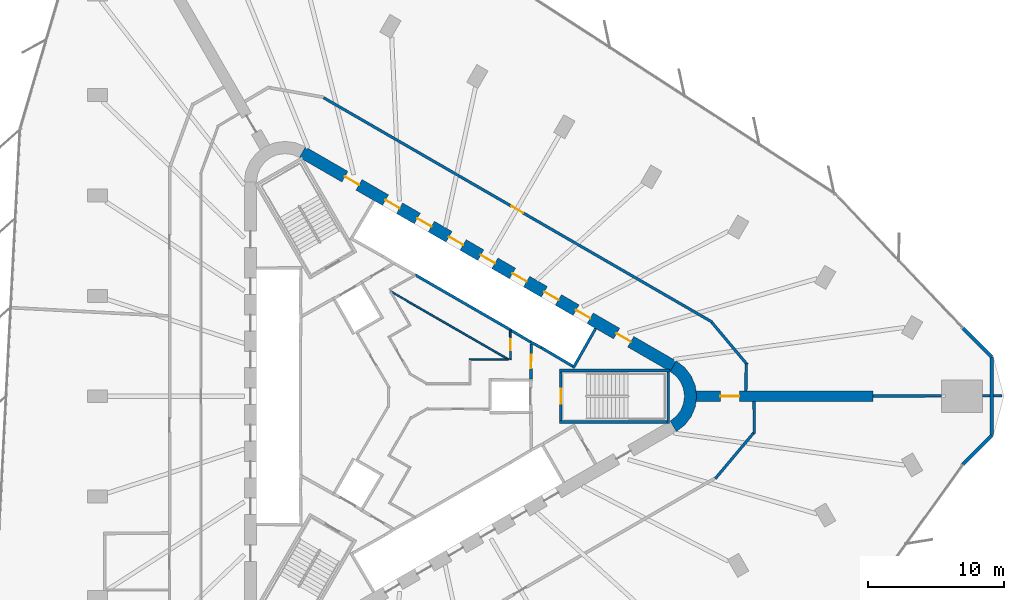
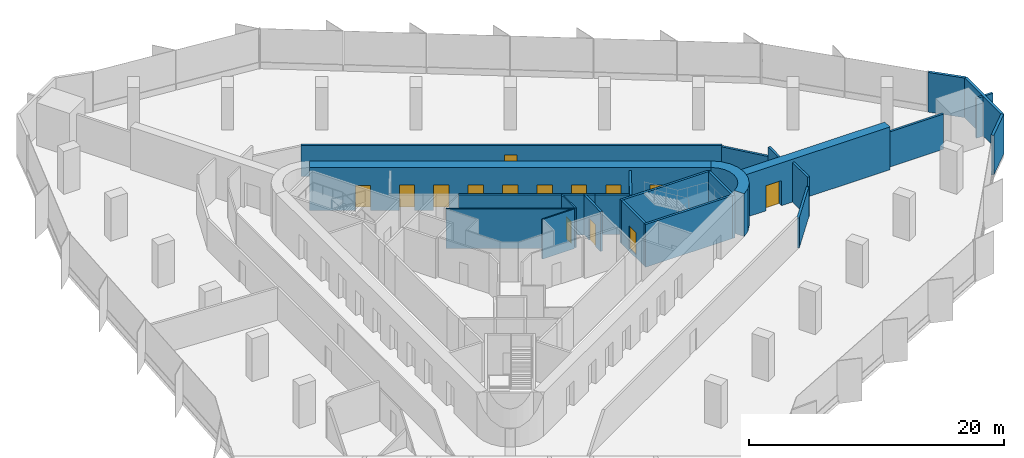
# One storey, part 12 of 14: 27 walls, 14 doors, 14 openings.
"""IFC4 building model written with IfcOpenShell, lengths in metres."""

from ifc_helpers import new_model, si_unit, direction, frame, frame_2d, origin, place, context, subcontext, project, spatial, polyline, rectangle, outline, extrude, material, layer, layer_set, type_object, element, fill, save


model = new_model("IFC4")

# Units and contexts
model_context = context("Model", 3, precision=1e-05, world=origin(), true_north=direction((0.0, 1.0)))
body_context = subcontext(model_context, "Body", "Model", "MODEL_VIEW")
ifc_project = project(units=[si_unit("LENGTHUNIT", "METRE"), si_unit("AREAUNIT", "SQUARE_METRE"), si_unit("VOLUMEUNIT", "CUBIC_METRE"), si_unit("PLANEANGLEUNIT", "RADIAN"), si_unit("MASSUNIT", "GRAM", prefix="KILO")], contexts=[model_context])

# Site, building, storey
site_placement = place(None, origin())
site = spatial("IfcSite", under=ifc_project, at=site_placement, CompositionType="ELEMENT")
building_placement = place(site_placement, origin())
building = spatial("IfcBuilding", under=site, at=building_placement, Name="Tanit Gate Tower", CompositionType="ELEMENT")
storey_placement = place(building_placement, frame((0.0, 0.0, 107.0)))
storey = spatial("IfcBuildingStorey", under=building, at=storey_placement, Name="L22", CompositionType="ELEMENT", Elevation=107.0)

# Wall, opening, door
ifc_material_1 = material(Name="Concrete C60/75", Category="concrete")
ifc_layer_1 = layer(ifc_material_1, 0.800048828125)
ifc_layer_set_1 = layer_set([ifc_layer_1], Name="BUTTRESS FIN 800 C60/75")
wall_type_1 = type_object("IfcWallType", Name="BUTTRESS FIN 800 C60/75", PredefinedType="SHEAR", material=ifc_layer_set_1)
wall_1_placement = place(storey_placement, frame((21.14990234375, 0.0, 0.0), z_axis=(0.0, 0.0, 1.0), x_axis=(1.0, 0.0, 0.0)))
wall_1 = element("IfcWall", 1, at=wall_1_placement, inside=storey, type_object=wall_type_1, Name="BUTTRESS FIN", PredefinedType="SHEAR", context=body_context, shape_type="SweptSolid", body=[
    extrude(rectangle(XDim=13.026611328125, YDim=0.800048828125, at=frame_2d((6.51318359375, 0.0))), origin(), (0.0, 0.0, 1.0), 4.10009765625),
])
opening_1_placement = place(wall_1_placement, frame((1.800048828125, 0.0, 0.0)))
opening_1 = element("IfcOpeningElement", 2, at=opening_1_placement, cuts=wall_1, Name="Opening P14-S05-F-E-1", PredefinedType="OPENING", context=body_context, shape_type="SweptSolid", body=[
    extrude(rectangle(XDim=1.39990234375, YDim=2.39990234375, at=frame_2d((0.699951171875, 1.199951171875))), frame((0.0, 0.41015625, 0.0), z_axis=(0.0, -1.0, 0.0), x_axis=(1.0, 0.0, 0.0)), (0.0, 0.0, 1.0), 0.820068359375),
])
ifc_material_2 = material(Name="Timber door leaf", Category="wood")
door_type_1 = type_object("IfcDoorType", Name="INT-DOOR-FIN-PAIR-1400", OperationType="NOTDEFINED", PredefinedType="NOTDEFINED", material=ifc_material_2)
door_1_placement = place(opening_1_placement, origin())
door_1 = element("IfcDoor", 3, at=door_1_placement, inside=storey, type_object=door_type_1, Name="Door P14-S05-F-E-1", OperationType="DOUBLE_DOOR_SINGLE_SWING", OverallHeight=2.39990234375, OverallWidth=1.39990234375, PredefinedType="NOTDEFINED", context=body_context, shape_type="SweptSolid", body=[
    extrude(rectangle(XDim=1.39990234375, YDim=2.39990234375, at=frame_2d((0.699951171875, 1.199951171875))), frame((0.0, 0.02490234375, 0.0), z_axis=(0.0, -1.0, 0.0), x_axis=(1.0, 0.0, 0.0)), (0.0, 0.0, 1.0), 0.050048828125),
])
fill(opening_1, door_1)

# Wall, openings, doors
ifc_material_3 = material(Name="Concrete C60/75", Category="concrete")
ifc_layer_2 = layer(ifc_material_3, 0.89990234375)
ifc_layer_set_2 = layer_set([ifc_layer_2], Name="CORE WALL 900 C60/75")
wall_type_2 = type_object("IfcWallType", Name="CORE WALL 900 C60/75", PredefinedType="SHEAR", material=ifc_layer_set_2)
wall_2_placement = place(storey_placement, frame((19.47509765625, 2.20849609375, 0.0), z_axis=(0.0, 0.0, 1.0), x_axis=(-0.866028369851, 0.499994862586, 0.0)))
wall_2 = element("IfcWall", 4, at=wall_2_placement, inside=storey, type_object=wall_type_2, Name="CORE WALL", PredefinedType="SHEAR", context=body_context, shape_type="SweptSolid", body=[
    extrude(rectangle(XDim=31.523193359375, YDim=0.89990234375, at=frame_2d((15.76171875, 0.0))), origin(), (0.0, 0.0, 1.0), 4.10009765625),
])
opening_2_placement = place(wall_2_placement, frame((7.0615234375, 0.0, 0.0)))
opening_2 = element("IfcOpeningElement", 5, at=opening_2_placement, cuts=wall_2, Name="Opening LDLL8-S05", PredefinedType="OPENING", context=body_context, shape_type="SweptSolid", body=[
    extrude(rectangle(XDim=1.199951171875, YDim=2.39990234375, at=frame_2d((0.60009765625, 1.199951171875))), frame((0.0, 0.4599609375, 0.0), z_axis=(0.0, -1.0, 0.0), x_axis=(1.0, 0.0, 0.0)), (0.0, 0.0, 1.0), 0.919921875),
])
opening_3_placement = place(wall_2_placement, frame((9.76171875, 0.0, 0.0)))
opening_3 = element("IfcOpeningElement", 6, at=opening_3_placement, cuts=wall_2, Name="Opening LDLL9-S05", PredefinedType="OPENING", context=body_context, shape_type="SweptSolid", body=[
    extrude(rectangle(XDim=1.199951171875, YDim=2.39990234375, at=frame_2d((0.60009765625, 1.199951171875))), frame((0.0, 0.4599609375, 0.0), z_axis=(0.0, -1.0, 0.0), x_axis=(1.0, 0.0, 0.0)), (0.0, 0.0, 1.0), 0.919921875),
])
opening_4_placement = place(wall_2_placement, frame((12.461669921875, 0.0, 0.0)))
opening_4 = element("IfcOpeningElement", 7, at=opening_4_placement, cuts=wall_2, Name="Opening LDLL10-S05", PredefinedType="OPENING", context=body_context, shape_type="SweptSolid", body=[
    extrude(rectangle(XDim=1.199951171875, YDim=2.39990234375, at=frame_2d((0.60009765625, 1.199951171875))), frame((0.0, 0.4599609375, 0.0), z_axis=(0.0, -1.0, 0.0), x_axis=(1.0, 0.0, 0.0)), (0.0, 0.0, 1.0), 0.919921875),
])
opening_5_placement = place(wall_2_placement, frame((15.16162109375, 0.0, 0.0)))
opening_5 = element("IfcOpeningElement", 8, at=opening_5_placement, cuts=wall_2, Name="Opening LDSL1-S05", PredefinedType="OPENING", context=body_context, shape_type="SweptSolid", body=[
    extrude(rectangle(XDim=1.199951171875, YDim=2.39990234375, at=frame_2d((0.60009765625, 1.199951171875))), frame((0.0, 0.4599609375, 0.0), z_axis=(0.0, -1.0, 0.0), x_axis=(1.0, 0.0, 0.0)), (0.0, 0.0, 1.0), 0.919921875),
])
opening_6_placement = place(wall_2_placement, frame((17.861572265625, 0.0, 0.0)))
opening_6 = element("IfcOpeningElement", 9, at=opening_6_placement, cuts=wall_2, Name="Opening LDSL2-S05", PredefinedType="OPENING", context=body_context, shape_type="SweptSolid", body=[
    extrude(rectangle(XDim=1.199951171875, YDim=2.39990234375, at=frame_2d((0.60009765625, 1.199951171875))), frame((0.0, 0.4599609375, 0.0), z_axis=(0.0, -1.0, 0.0), x_axis=(1.0, 0.0, 0.0)), (0.0, 0.0, 1.0), 0.919921875),
])
opening_7_placement = place(wall_2_placement, frame((20.5615234375, 0.0, 0.0)))
opening_7 = element("IfcOpeningElement", 10, at=opening_7_placement, cuts=wall_2, Name="Opening LDSL3-S05", PredefinedType="OPENING", context=body_context, shape_type="SweptSolid", body=[
    extrude(rectangle(XDim=1.199951171875, YDim=2.39990234375, at=frame_2d((0.60009765625, 1.199951171875))), frame((0.0, 0.4599609375, 0.0), z_axis=(0.0, -1.0, 0.0), x_axis=(1.0, 0.0, 0.0)), (0.0, 0.0, 1.0), 0.919921875),
])
opening_8_placement = place(wall_2_placement, frame((23.26171875, 0.0, 0.0)))
opening_8 = element("IfcOpeningElement", 11, at=opening_8_placement, cuts=wall_2, Name="Opening LDSL4-S05", PredefinedType="OPENING", context=body_context, shape_type="SweptSolid", body=[
    extrude(rectangle(XDim=1.199951171875, YDim=2.39990234375, at=frame_2d((0.60009765625, 1.199951171875))), frame((0.0, 0.4599609375, 0.0), z_axis=(0.0, -1.0, 0.0), x_axis=(1.0, 0.0, 0.0)), (0.0, 0.0, 1.0), 0.919921875),
])
opening_9_placement = place(wall_2_placement, frame((3.611572265625, 0.0, 0.0)))
opening_9 = element("IfcOpeningElement", 12, at=opening_9_placement, cuts=wall_2, Name="Opening F12-S05-FL1", PredefinedType="OPENING", context=body_context, shape_type="SweptSolid", body=[
    extrude(rectangle(XDim=1.199951171875, YDim=2.39990234375, at=frame_2d((0.60009765625, 1.199951171875))), frame((0.0, 0.4599609375, 0.0), z_axis=(0.0, -1.0, 0.0), x_axis=(1.0, 0.0, 0.0)), (0.0, 0.0, 1.0), 0.919921875),
])
opening_10_placement = place(wall_2_placement, frame((26.711669921875, 0.0, 0.0)))
opening_10 = element("IfcOpeningElement", 13, at=opening_10_placement, cuts=wall_2, Name="Opening F12-S05-S2", PredefinedType="OPENING", context=body_context, shape_type="SweptSolid", body=[
    extrude(rectangle(XDim=1.199951171875, YDim=2.39990234375, at=frame_2d((0.60009765625, 1.199951171875))), frame((0.0, 0.4599609375, 0.0), z_axis=(0.0, -1.0, 0.0), x_axis=(1.0, 0.0, 0.0)), (0.0, 0.0, 1.0), 0.919921875),
])
ifc_material_4 = material(Name="Fire-rated steel door leaf", Category="steel")
door_type_2 = type_object("IfcDoorType", Name="INT-DOOR-FIRE-LOBBY-1200", OperationType="NOTDEFINED", PredefinedType="USERDEFINED", material=ifc_material_4)
door_2_placement = place(opening_9_placement, origin())
door_2 = element("IfcDoor", 14, at=door_2_placement, inside=storey, type_object=door_type_2, Name="Door F12-S05-FL1", ObjectType="FIRE DOOR", OperationType="SINGLE_SWING_LEFT", OverallHeight=2.39990234375, OverallWidth=1.199951171875, PredefinedType="USERDEFINED", context=body_context, shape_type="SweptSolid", body=[
    extrude(rectangle(XDim=1.199951171875, YDim=2.39990234375, at=frame_2d((0.60009765625, 1.199951171875))), frame((0.0, 0.02490234375, 0.0), z_axis=(0.0, -1.0, 0.0), x_axis=(1.0, 0.0, 0.0)), (0.0, 0.0, 1.0), 0.050048828125),
])
fill(opening_9, door_2)
door_3_placement = place(opening_10_placement, origin())
door_3 = element("IfcDoor", 15, at=door_3_placement, inside=storey, type_object=door_type_2, Name="Door F12-S05-S2", ObjectType="FIRE DOOR", OperationType="SINGLE_SWING_LEFT", OverallHeight=2.39990234375, OverallWidth=1.199951171875, PredefinedType="USERDEFINED", context=body_context, shape_type="SweptSolid", body=[
    extrude(rectangle(XDim=1.199951171875, YDim=2.39990234375, at=frame_2d((0.60009765625, 1.199951171875))), frame((0.0, 0.02490234375, 0.0), z_axis=(0.0, -1.0, 0.0), x_axis=(1.0, 0.0, 0.0)), (0.0, 0.0, 1.0), 0.050048828125),
])
fill(opening_10, door_3)
ifc_material_5 = material(Name="Stainless steel sliding door leaf", Category="steel")
door_type_3 = type_object("IfcDoorType", Name="INT-DOOR-LANDING-1200", OperationType="NOTDEFINED", PredefinedType="USERDEFINED", material=ifc_material_5)
door_4_placement = place(opening_2_placement, origin())
door_4 = element("IfcDoor", 16, at=door_4_placement, inside=storey, type_object=door_type_3, Name="Door LDLL8-S05", ObjectType="LANDING DOOR", OperationType="SLIDING_TO_LEFT", OverallHeight=2.39990234375, OverallWidth=1.199951171875, PredefinedType="USERDEFINED", context=body_context, shape_type="SweptSolid", body=[
    extrude(rectangle(XDim=1.199951171875, YDim=2.39990234375, at=frame_2d((0.60009765625, 1.199951171875))), frame((0.0, 0.02490234375, 0.0), z_axis=(0.0, -1.0, 0.0), x_axis=(1.0, 0.0, 0.0)), (0.0, 0.0, 1.0), 0.050048828125),
])
fill(opening_2, door_4)
door_5_placement = place(opening_3_placement, origin())
door_5 = element("IfcDoor", 17, at=door_5_placement, inside=storey, type_object=door_type_3, Name="Door LDLL9-S05", ObjectType="LANDING DOOR", OperationType="SLIDING_TO_LEFT", OverallHeight=2.39990234375, OverallWidth=1.199951171875, PredefinedType="USERDEFINED", context=body_context, shape_type="SweptSolid", body=[
    extrude(rectangle(XDim=1.199951171875, YDim=2.39990234375, at=frame_2d((0.60009765625, 1.199951171875))), frame((0.0, 0.02490234375, 0.0), z_axis=(0.0, -1.0, 0.0), x_axis=(1.0, 0.0, 0.0)), (0.0, 0.0, 1.0), 0.050048828125),
])
fill(opening_3, door_5)
door_6_placement = place(opening_4_placement, origin())
door_6 = element("IfcDoor", 18, at=door_6_placement, inside=storey, type_object=door_type_3, Name="Door LDLL10-S05", ObjectType="LANDING DOOR", OperationType="SLIDING_TO_LEFT", OverallHeight=2.39990234375, OverallWidth=1.199951171875, PredefinedType="USERDEFINED", context=body_context, shape_type="SweptSolid", body=[
    extrude(rectangle(XDim=1.199951171875, YDim=2.39990234375, at=frame_2d((0.60009765625, 1.199951171875))), frame((0.0, 0.02490234375, 0.0), z_axis=(0.0, -1.0, 0.0), x_axis=(1.0, 0.0, 0.0)), (0.0, 0.0, 1.0), 0.050048828125),
])
fill(opening_4, door_6)
door_7_placement = place(opening_5_placement, origin())
door_7 = element("IfcDoor", 19, at=door_7_placement, inside=storey, type_object=door_type_3, Name="Door LDSL1-S05", ObjectType="LANDING DOOR", OperationType="SLIDING_TO_LEFT", OverallHeight=2.39990234375, OverallWidth=1.199951171875, PredefinedType="USERDEFINED", context=body_context, shape_type="SweptSolid", body=[
    extrude(rectangle(XDim=1.199951171875, YDim=2.39990234375, at=frame_2d((0.60009765625, 1.199951171875))), frame((0.0, 0.02490234375, 0.0), z_axis=(0.0, -1.0, 0.0), x_axis=(1.0, 0.0, 0.0)), (0.0, 0.0, 1.0), 0.050048828125),
])
fill(opening_5, door_7)
door_8_placement = place(opening_6_placement, origin())
door_8 = element("IfcDoor", 20, at=door_8_placement, inside=storey, type_object=door_type_3, Name="Door LDSL2-S05", ObjectType="LANDING DOOR", OperationType="SLIDING_TO_LEFT", OverallHeight=2.39990234375, OverallWidth=1.199951171875, PredefinedType="USERDEFINED", context=body_context, shape_type="SweptSolid", body=[
    extrude(rectangle(XDim=1.199951171875, YDim=2.39990234375, at=frame_2d((0.60009765625, 1.199951171875))), frame((0.0, 0.02490234375, 0.0), z_axis=(0.0, -1.0, 0.0), x_axis=(1.0, 0.0, 0.0)), (0.0, 0.0, 1.0), 0.050048828125),
])
fill(opening_6, door_8)
door_9_placement = place(opening_7_placement, origin())
door_9 = element("IfcDoor", 21, at=door_9_placement, inside=storey, type_object=door_type_3, Name="Door LDSL3-S05", ObjectType="LANDING DOOR", OperationType="SLIDING_TO_LEFT", OverallHeight=2.39990234375, OverallWidth=1.199951171875, PredefinedType="USERDEFINED", context=body_context, shape_type="SweptSolid", body=[
    extrude(rectangle(XDim=1.199951171875, YDim=2.39990234375, at=frame_2d((0.60009765625, 1.199951171875))), frame((0.0, 0.02490234375, 0.0), z_axis=(0.0, -1.0, 0.0), x_axis=(1.0, 0.0, 0.0)), (0.0, 0.0, 1.0), 0.050048828125),
])
fill(opening_7, door_9)
door_10_placement = place(opening_8_placement, origin())
door_10 = element("IfcDoor", 22, at=door_10_placement, inside=storey, type_object=door_type_3, Name="Door LDSL4-S05", ObjectType="LANDING DOOR", OperationType="SLIDING_TO_LEFT", OverallHeight=2.39990234375, OverallWidth=1.199951171875, PredefinedType="USERDEFINED", context=body_context, shape_type="SweptSolid", body=[
    extrude(rectangle(XDim=1.199951171875, YDim=2.39990234375, at=frame_2d((0.60009765625, 1.199951171875))), frame((0.0, 0.02490234375, 0.0), z_axis=(0.0, -1.0, 0.0), x_axis=(1.0, 0.0, 0.0)), (0.0, 0.0, 1.0), 0.050048828125),
])
fill(opening_8, door_10)

# Walls
wall_3_placement = place(storey_placement, origin())
element("IfcWall", 23, at=wall_3_placement, inside=storey, type_object=wall_type_2, Name="CORE WALL CORNER", PredefinedType="SHEAR", context=body_context, shape_type="SweptSolid", body=[
    extrude(outline(polyline([(19.699951171875, -2.59814453125), (20.3212890625, -2.121337890625), (20.798095703125, -1.5), (21.097900390625, -0.776611328125), (21.199951171875, 0.0), (21.097900390625, 0.776611328125), (20.798095703125, 1.5), (20.3212890625, 2.121337890625), (19.699951171875, 2.59814453125), (19.25, 1.818603515625), (19.684814453125, 1.48486328125), (20.018798828125, 1.050048828125), (20.228515625, 0.54345703125), (20.300048828125, 0.0), (20.228515625, -0.54345703125), (20.018798828125, -1.050048828125), (19.684814453125, -1.48486328125), (19.25, -1.818603515625), (19.699951171875, -2.59814453125)])), origin(), (0.0, 0.0, 1.0), 4.10009765625),
])
ifc_material_6 = material(Name="Concrete C30/37 with bronze anodised aluminium cladding", Category="concrete")
ifc_layer_3 = layer(ifc_material_6, 0.239990234375)
ifc_layer_set_3 = layer_set([ifc_layer_3], Name="Facade wall bronze clad 240")
wall_type_3 = type_object("IfcWallType", Name="Facade wall bronze clad 240", PredefinedType="SOLIDWALL", material=ifc_layer_set_3)
wall_4_placement = place(storey_placement, frame((40.783935546875, -5.02734375, 0.0), z_axis=(0.0, 0.0, 1.0), x_axis=(0.707106781187, 0.707106781187, 0.0)))
element("IfcWall", 24, at=wall_4_placement, inside=storey, type_object=wall_type_3, Name="Bronze-clad facade wall L22 E.arc1", PredefinedType="SOLIDWALL", context=body_context, shape_type="SweptSolid", body=[
    extrude(rectangle(XDim=3.029052734375, YDim=0.239990234375, at=frame_2d((1.5146484375, 0.0))), origin(), (0.0, 0.0, 1.0), 3.800048828125),
])
wall_5_placement = place(storey_placement, frame((42.92578125, -2.885498046875, 0.0), z_axis=(0.0, 0.0, 1.0), x_axis=(0.0, 1.0, 0.0)))
element("IfcWall", 25, at=wall_5_placement, inside=storey, type_object=wall_type_3, Name="Bronze-clad facade wall L22 E.arc2", PredefinedType="SOLIDWALL", context=body_context, shape_type="SweptSolid", body=[
    extrude(rectangle(XDim=5.77099609375, YDim=0.239990234375, at=frame_2d((2.885498046875, 0.0))), origin(), (0.0, 0.0, 1.0), 3.800048828125),
])
wall_6_placement = place(storey_placement, frame((42.92578125, 2.885498046875, 0.0), z_axis=(0.0, 0.0, 1.0), x_axis=(-0.707147188443, 0.707066371621, 0.0)))
element("IfcWall", 26, at=wall_6_placement, inside=storey, type_object=wall_type_3, Name="Bronze-clad facade wall L22 E.arc3", PredefinedType="SOLIDWALL", context=body_context, shape_type="SweptSolid", body=[
    extrude(rectangle(XDim=3.02099609375, YDim=0.239990234375, at=frame_2d((1.510498046875, 0.0))), origin(), (0.0, 0.0, 1.0), 3.800048828125),
])

# Wall, opening, door
ifc_material_7 = material(Name="Fire-rated gypsum board partition")
ifc_layer_4 = layer(ifc_material_7, 0.199951171875)
ifc_layer_set_4 = layer_set([ifc_layer_4], Name="INT-WALL-COMPARTMENT")
wall_type_4 = type_object("IfcWallType", Name="INT-WALL-COMPARTMENT", PredefinedType="PARTITIONING", material=ifc_layer_set_4)
wall_7_placement = place(storey_placement, frame((9.0009765625, 1.27001953125, 0.0), z_axis=(0.0, 0.0, 1.0), x_axis=(0.010783593937, 0.99994185536, 0.0)))
wall_7 = element("IfcWall", 27, at=wall_7_placement, inside=storey, type_object=wall_type_4, Name="Wall Compartment W060", PredefinedType="PARTITIONING", context=body_context, shape_type="SweptSolid", body=[
    extrude(rectangle(XDim=2.5810546875, YDim=0.199951171875, at=frame_2d((1.29052734375, 0.0))), origin(), (0.0, 0.0, 1.0), 3.800048828125),
])
opening_11_placement = place(wall_7_placement, frame((0.79052734375, 0.0, 0.0)))
opening_11 = element("IfcOpeningElement", 28, at=opening_11_placement, cuts=wall_7, Name="Opening F10-S05-02", PredefinedType="OPENING", context=body_context, shape_type="SweptSolid", body=[
    extrude(rectangle(XDim=1.0, YDim=2.10009765625, at=frame_2d((0.5, 1.050048828125))), frame((0.0, 0.10986328125, 0.0), z_axis=(0.0, -1.0, 0.0), x_axis=(1.0, 0.0, 0.0)), (0.0, 0.0, 1.0), 0.219970703125),
])
ifc_material_8 = material(Name="Fire-rated steel door leaf", Category="steel")
door_type_4 = type_object("IfcDoorType", Name="INT-DOOR-FIRE-1000", OperationType="NOTDEFINED", PredefinedType="USERDEFINED", material=ifc_material_8)
door_11_placement = place(opening_11_placement, origin())
door_11 = element("IfcDoor", 29, at=door_11_placement, inside=storey, type_object=door_type_4, Name="Door F10-S05-02", ObjectType="FIRE DOOR", OperationType="SINGLE_SWING_LEFT", OverallHeight=2.10009765625, OverallWidth=1.0, PredefinedType="USERDEFINED", context=body_context, shape_type="SweptSolid", body=[
    extrude(rectangle(XDim=1.0, YDim=2.10009765625, at=frame_2d((0.5, 1.050048828125))), frame((0.0, 0.02490234375, 0.0), z_axis=(0.0, -1.0, 0.0), x_axis=(1.0, 0.0, 0.0)), (0.0, 0.0, 1.0), 0.050048828125),
])
fill(opening_11, door_11)

wall_8_placement = place(storey_placement, frame((22.335693359375, 5.46435546875, 0.0), z_axis=(0.0, 0.0, 1.0), x_axis=(-0.866027503332, 0.499996363459, 0.0)))
wall_8 = element("IfcWall", 30, at=wall_8_placement, inside=storey, type_object=wall_type_4, Name="Wall Compartment W101", PredefinedType="PARTITIONING", context=body_context, shape_type="SweptSolid", body=[
    extrude(rectangle(XDim=33.022216796875, YDim=0.199951171875, at=frame_2d((16.51123046875, 0.0))), origin(), (0.0, 0.0, 1.0), 2.97998046875),
])
opening_12_placement = place(wall_8_placement, frame((16.06103515625, 0.0, 0.0)))
opening_12 = element("IfcOpeningElement", 31, at=opening_12_placement, cuts=wall_8, Name="Opening F10-S05-22", PredefinedType="OPENING", context=body_context, shape_type="SweptSolid", body=[
    extrude(rectangle(XDim=1.0, YDim=2.10009765625, at=frame_2d((0.5, 1.050048828125))), frame((0.0, 0.10986328125, 0.0), z_axis=(0.0, -1.0, 0.0), x_axis=(1.0, 0.0, 0.0)), (0.0, 0.0, 1.0), 0.219970703125),
])
door_12_placement = place(opening_12_placement, origin())
door_12 = element("IfcDoor", 32, at=door_12_placement, inside=storey, type_object=door_type_4, Name="Door F10-S05-22", ObjectType="FIRE DOOR", OperationType="SINGLE_SWING_RIGHT", OverallHeight=2.10009765625, OverallWidth=1.0, PredefinedType="USERDEFINED", context=body_context, shape_type="SweptSolid", body=[
    extrude(rectangle(XDim=1.0, YDim=2.10009765625, at=frame_2d((0.5, 1.050048828125))), frame((0.0, 0.02490234375, 0.0), z_axis=(0.0, -1.0, 0.0), x_axis=(1.0, 0.0, 0.0)), (0.0, 0.0, 1.0), 0.050048828125),
])
fill(opening_12, door_12)

# Walls
wall_9_placement = place(storey_placement, frame((24.9208984375, 2.330078125, 0.0), z_axis=(0.0, 0.0, 1.0), x_axis=(-0.642791169301, 0.766041456234, 0.0)))
element("IfcWall", 33, at=wall_9_placement, inside=storey, type_object=wall_type_4, Name="Wall Compartment W102", PredefinedType="PARTITIONING", context=body_context, shape_type="SweptSolid", body=[
    extrude(rectangle(XDim=4.056884765625, YDim=0.199951171875, at=frame_2d((2.0283203125, 0.0))), origin(), (0.0, 0.0, 1.0), 2.8798828125),
])
wall_10_placement = place(storey_placement, frame((24.8212890625, 0.39990234375, 0.0), z_axis=(0.0, 0.0, 1.0), x_axis=(0.01239062247, 0.999923233291, 0.0)))
element("IfcWall", 34, at=wall_10_placement, inside=storey, type_object=wall_type_4, Name="Wall Compartment W103", PredefinedType="PARTITIONING", context=body_context, shape_type="SweptSolid", body=[
    extrude(rectangle(XDim=1.970458984375, YDim=0.199951171875, at=frame_2d((0.9853515625, 0.0))), origin(), (0.0, 0.0, 1.0), 3.800048828125),
])
wall_11_placement = place(storey_placement, frame((25.447509765625, -2.75390625, 0.0), z_axis=(0.0, 0.0, 1.0), x_axis=(-0.011407679147, 0.999934930311, 0.0)))
element("IfcWall", 35, at=wall_11_placement, inside=storey, type_object=wall_type_4, Name="Wall Compartment W104", PredefinedType="PARTITIONING", context=body_context, shape_type="SweptSolid", body=[
    extrude(rectangle(XDim=2.354248046875, YDim=0.199951171875, at=frame_2d((1.17724609375, 0.0))), origin(), (0.0, 0.0, 1.0), 3.800048828125),
])
wall_12_placement = place(storey_placement, frame((22.576416015625, -6.0576171875, 0.0), z_axis=(0.0, 0.0, 1.0), x_axis=(0.642769295272, 0.766059810364, 0.0)))
element("IfcWall", 36, at=wall_12_placement, inside=storey, type_object=wall_type_4, Name="Wall Compartment W105", PredefinedType="PARTITIONING", context=body_context, shape_type="SweptSolid", body=[
    extrude(rectangle(XDim=4.415771484375, YDim=0.199951171875, at=frame_2d((2.2080078125, 0.0))), origin(), (0.0, 0.0, 1.0), 2.8798828125),
])
wall_13_placement = place(storey_placement, frame((34.176513671875, 0.01904296875, 0.0), z_axis=(0.0, 0.0, 1.0), x_axis=(0.999997630425, 0.002176957736, 0.0)))
element("IfcWall", 37, at=wall_13_placement, inside=storey, type_object=wall_type_4, Name="Wall Compartment W122", PredefinedType="PARTITIONING", context=body_context, shape_type="SweptSolid", body=[
    extrude(rectangle(XDim=5.046630859375, YDim=0.199951171875, at=frame_2d((2.5234375, 0.0))), origin(), (0.0, 0.0, 1.0), 3.3701171875),
])
wall_14_placement = place(storey_placement, frame((42.22314453125, 0.030029296875, 0.0), z_axis=(0.0, 0.0, 1.0), x_axis=(1.0, 0.0, 0.0)))
element("IfcWall", 38, at=wall_14_placement, inside=storey, type_object=wall_type_4, Name="Wall Compartment W123", PredefinedType="PARTITIONING", context=body_context, shape_type="SweptSolid", body=[
    extrude(rectangle(XDim=0.58251953125, YDim=0.199951171875, at=frame_2d((0.291259765625, 0.0))), origin(), (0.0, 0.0, 1.0), 3.800048828125),
])
wall_15_placement = place(storey_placement, frame((43.045654296875, 0.030029296875, 0.0), z_axis=(0.0, 0.0, 1.0), x_axis=(1.0, 0.0, 0.0)))
element("IfcWall", 39, at=wall_15_placement, inside=storey, type_object=wall_type_4, Name="Wall Compartment W123x1", PredefinedType="PARTITIONING", context=body_context, shape_type="SweptSolid", body=[
    extrude(rectangle(XDim=0.645263671875, YDim=0.199951171875, at=frame_2d((0.32275390625, 0.0))), origin(), (0.0, 0.0, 1.0), 3.800048828125),
])
ifc_material_9 = material(Name="Gypsum board partition")
ifc_layer_5 = layer(ifc_material_9, 0.1201171875)
ifc_layer_set_5 = layer_set([ifc_layer_5], Name="INT-WALL-PARTITION")
wall_type_5 = type_object("IfcWallType", Name="INT-WALL-PARTITION", PredefinedType="PARTITIONING", material=ifc_layer_set_5)
wall_16_placement = place(storey_placement, frame((7.36669921875, 2.699951171875, 0.0), z_axis=(0.0, 0.0, 1.0), x_axis=(-0.866027158831, 0.499996960157, 0.0)))
element("IfcWall", 40, at=wall_16_placement, inside=storey, type_object=wall_type_5, Name="Wall Partition W074", PredefinedType="PARTITIONING", context=body_context, shape_type="SweptSolid", body=[
    extrude(rectangle(XDim=10.0595703125, YDim=0.1201171875, at=frame_2d((5.02978515625, 0.0))), origin(), (0.0, 0.0, 1.0), 3.800048828125),
])

# Wall, opening, door
wall_17_placement = place(storey_placement, frame((7.5, 2.699951171875, 0.0), z_axis=(0.0, 0.0, 1.0), x_axis=(-0.011729398337, 0.999931208241, 0.0)))
wall_17 = element("IfcWall", 41, at=wall_17_placement, inside=storey, type_object=wall_type_5, Name="Wall Partition W076", PredefinedType="PARTITIONING", context=body_context, shape_type="SweptSolid", body=[
    extrude(rectangle(XDim=2.164794921875, YDim=0.1201171875, at=frame_2d((1.08251953125, 0.0))), origin(), (0.0, 0.0, 1.0), 3.800048828125),
])
opening_13_placement = place(wall_17_placement, frame((0.682373046875, 0.0, 0.0)))
opening_13 = element("IfcOpeningElement", 42, at=opening_13_placement, cuts=wall_17, Name="Opening R08-S05-12", PredefinedType="OPENING", context=body_context, shape_type="SweptSolid", body=[
    extrude(rectangle(XDim=0.800048828125, YDim=2.10009765625, at=frame_2d((0.39990234375, 1.050048828125))), frame((0.0, 0.070068359375, 0.0), z_axis=(0.0, -1.0, 0.0), x_axis=(1.0, 0.0, 0.0)), (0.0, 0.0, 1.0), 0.14013671875),
])
ifc_material_10 = material(Name="Timber door leaf", Category="wood")
door_type_5 = type_object("IfcDoorType", Name="INT-DOOR-RISER-800", OperationType="NOTDEFINED", PredefinedType="USERDEFINED", material=ifc_material_10)
door_13_placement = place(opening_13_placement, origin())
door_13 = element("IfcDoor", 43, at=door_13_placement, inside=storey, type_object=door_type_5, Name="Door R08-S05-12", ObjectType="FIRE DOOR", OperationType="SINGLE_SWING_RIGHT", OverallHeight=2.10009765625, OverallWidth=0.800048828125, PredefinedType="USERDEFINED", context=body_context, shape_type="SweptSolid", body=[
    extrude(rectangle(XDim=0.800048828125, YDim=2.10009765625, at=frame_2d((0.39990234375, 1.050048828125))), frame((0.0, 0.02490234375, 0.0), z_axis=(0.0, -1.0, 0.0), x_axis=(1.0, 0.0, 0.0)), (0.0, 0.0, 1.0), 0.050048828125),
])
fill(opening_13, door_13)

# Walls
wall_18_placement = place(storey_placement, frame((4.43994140625, 2.699951171875, 0.0), z_axis=(0.0, 0.0, 1.0), x_axis=(1.0, 0.0, 0.0)))
element("IfcWall", 44, at=wall_18_placement, inside=storey, type_object=wall_type_5, Name="Wall Partition W077", PredefinedType="PARTITIONING", context=body_context, shape_type="SweptSolid", body=[
    extrude(rectangle(XDim=2.89697265625, YDim=0.1201171875, at=frame_2d((1.448486328125, 0.0))), origin(), (0.0, 0.0, 1.0), 3.800048828125),
])
ifc_material_11 = material(Name="Gypsum shaft wall system")
ifc_layer_6 = layer(ifc_material_11, 0.199951171875)
ifc_layer_set_6 = layer_set([ifc_layer_6], Name="INT-WALL-SHAFT")
wall_type_6 = type_object("IfcWallType", Name="INT-WALL-SHAFT", PredefinedType="PLUMBINGWALL", material=ifc_layer_set_6)
wall_19_placement = place(storey_placement, frame((7.497314453125, 4.885986328125, 0.0), z_axis=(0.0, 0.0, 1.0), x_axis=(-0.866030989016, 0.499990325971, 0.0)))
element("IfcWall", 45, at=wall_19_placement, inside=storey, type_object=wall_type_6, Name="Wall Shaft W003", PredefinedType="PLUMBINGWALL", context=body_context, shape_type="SweptSolid", body=[
    extrude(rectangle(XDim=8.099853515625, YDim=0.199951171875, at=frame_2d((4.0498046875, 0.0))), origin(), (0.0, 0.0, 1.0), 3.800048828125),
])
wall_20_placement = place(storey_placement, frame((12.10986328125, 2.07275390625, 0.0), z_axis=(0.0, 0.0, 1.0), x_axis=(0.49196600604, 0.870614408852, 0.0)))
element("IfcWall", 46, at=wall_20_placement, inside=storey, type_object=wall_type_6, Name="Wall Shaft W013", PredefinedType="PLUMBINGWALL", context=body_context, shape_type="SweptSolid", body=[
    extrude(rectangle(XDim=3.35009765625, YDim=0.199951171875, at=frame_2d((1.675048828125, 0.0))), origin(), (0.0, 0.0, 1.0), 3.800048828125),
])
wall_21_placement = place(storey_placement, frame((12.072998046875, 2.2109375, 0.0), z_axis=(0.0, 0.0, 1.0), x_axis=(-0.860438357912, 0.509554542943, 0.0)))
element("IfcWall", 47, at=wall_21_placement, inside=storey, type_object=wall_type_6, Name="Wall Shaft W014", PredefinedType="PLUMBINGWALL", context=body_context, shape_type="SweptSolid", body=[
    extrude(rectangle(XDim=2.700439453125, YDim=0.199951171875, at=frame_2d((1.35009765625, 0.0))), origin(), (0.0, 0.0, 1.0), 3.800048828125),
])
wall_22_placement = place(storey_placement, frame((9.74755859375, 3.583251953125, 0.0), z_axis=(0.0, 0.0, 1.0), x_axis=(-0.880917147855, 0.473270513147, 0.0)))
element("IfcWall", 48, at=wall_22_placement, inside=storey, type_object=wall_type_6, Name="Wall Shaft W015", PredefinedType="PLUMBINGWALL", context=body_context, shape_type="SweptSolid", body=[
    extrude(rectangle(XDim=0.8779296875, YDim=0.199951171875, at=frame_2d((0.43896484375, 0.0))), origin(), (0.0, 0.0, 1.0), 3.800048828125),
])
wall_23_placement = place(storey_placement, frame((9.07958984375, 3.93701171875, 0.0), z_axis=(0.0, 0.0, 1.0), x_axis=(-0.859981807212, 0.510324691999, 0.0)))
element("IfcWall", 49, at=wall_23_placement, inside=storey, type_object=wall_type_6, Name="Wall Shaft W016", PredefinedType="PLUMBINGWALL", context=body_context, shape_type="SweptSolid", body=[
    extrude(rectangle(XDim=1.8447265625, YDim=0.199951171875, at=frame_2d((0.92236328125, 0.0))), origin(), (0.0, 0.0, 1.0), 3.800048828125),
])
ifc_material_12 = material(Name="Concrete C40/50", Category="concrete")
ifc_layer_7 = layer(ifc_material_12, 0.199951171875)
ifc_layer_set_7 = layer_set([ifc_layer_7], Name="INT-WALL-STAIR")
wall_type_7 = type_object("IfcWallType", Name="INT-WALL-STAIR", PredefinedType="SHEAR", material=ifc_layer_set_7)
wall_24_placement = place(storey_placement, frame((19.199951171875, 1.89990234375, -0.300048828125), z_axis=(0.0, 0.0, 1.0), x_axis=(-1.0, 0.0, 0.0)))
element("IfcWall", 50, at=wall_24_placement, inside=storey, type_object=wall_type_7, Name="Wall Stair W033", PredefinedType="SHEAR", context=body_context, shape_type="SweptSolid", body=[
    extrude(rectangle(XDim=8.099853515625, YDim=0.199951171875, at=frame_2d((4.0498046875, 0.0))), origin(), (0.0, 0.0, 1.0), 4.10009765625),
])
wall_25_placement = place(storey_placement, frame((19.10009765625, -2.0, -0.300048828125), z_axis=(0.0, 0.0, 1.0), x_axis=(0.0, 1.0, 0.0)))
element("IfcWall", 51, at=wall_25_placement, inside=storey, type_object=wall_type_7, Name="Wall Stair W034", PredefinedType="SHEAR", context=body_context, shape_type="SweptSolid", body=[
    extrude(rectangle(XDim=3.800048828125, YDim=0.199951171875, at=frame_2d((1.89990234375, 0.0))), origin(), (0.0, 0.0, 1.0), 4.10009765625),
])
wall_26_placement = place(storey_placement, frame((11.10009765625, -1.89990234375, -0.300048828125), z_axis=(0.0, 0.0, 1.0), x_axis=(1.0, 0.0, 0.0)))
element("IfcWall", 52, at=wall_26_placement, inside=storey, type_object=wall_type_7, Name="Wall Stair W035", PredefinedType="SHEAR", context=body_context, shape_type="SweptSolid", body=[
    extrude(rectangle(XDim=7.89990234375, YDim=0.199951171875, at=frame_2d((3.949951171875, 0.0))), origin(), (0.0, 0.0, 1.0), 4.10009765625),
])

# Wall, opening, door
wall_27_placement = place(storey_placement, frame((11.199951171875, -1.800048828125, -0.300048828125), z_axis=(0.0, 0.0, 1.0), x_axis=(0.0, 1.0, 0.0)))
wall_27 = element("IfcWall", 53, at=wall_27_placement, inside=storey, type_object=wall_type_7, Name="Wall Stair W036", PredefinedType="SHEAR", context=body_context, shape_type="SweptSolid", body=[
    extrude(rectangle(XDim=3.60009765625, YDim=0.199951171875, at=frame_2d((1.800048828125, 0.0))), origin(), (0.0, 0.0, 1.0), 4.10009765625),
])
opening_14_placement = place(wall_27_placement, frame((1.25, 0.0, 0.300048828125)))
opening_14 = element("IfcOpeningElement", 54, at=opening_14_placement, cuts=wall_27, Name="Opening S11-S05-01", PredefinedType="OPENING", context=body_context, shape_type="SweptSolid", body=[
    extrude(rectangle(XDim=1.10009765625, YDim=2.10009765625, at=frame_2d((0.550048828125, 1.050048828125))), frame((0.0, 0.10986328125, 0.0), z_axis=(0.0, -1.0, 0.0), x_axis=(1.0, 0.0, 0.0)), (0.0, 0.0, 1.0), 0.219970703125),
])
ifc_material_13 = material(Name="Timber door leaf", Category="wood")
door_type_6 = type_object("IfcDoorType", Name="INT-DOOR-STAIR-1100", OperationType="NOTDEFINED", PredefinedType="USERDEFINED", material=ifc_material_13)
door_14_placement = place(opening_14_placement, origin())
door_14 = element("IfcDoor", 55, at=door_14_placement, inside=storey, type_object=door_type_6, Name="Door S11-S05-01", ObjectType="FIRE DOOR", OperationType="SINGLE_SWING_RIGHT", OverallHeight=2.10009765625, OverallWidth=1.10009765625, PredefinedType="USERDEFINED", context=body_context, shape_type="SweptSolid", body=[
    extrude(rectangle(XDim=1.10009765625, YDim=2.10009765625, at=frame_2d((0.550048828125, 1.050048828125))), frame((0.0, 0.02490234375, 0.0), z_axis=(0.0, -1.0, 0.0), x_axis=(1.0, 0.0, 0.0)), (0.0, 0.0, 1.0), 0.050048828125),
])
fill(opening_14, door_14)

save(model, "model.ifc")
